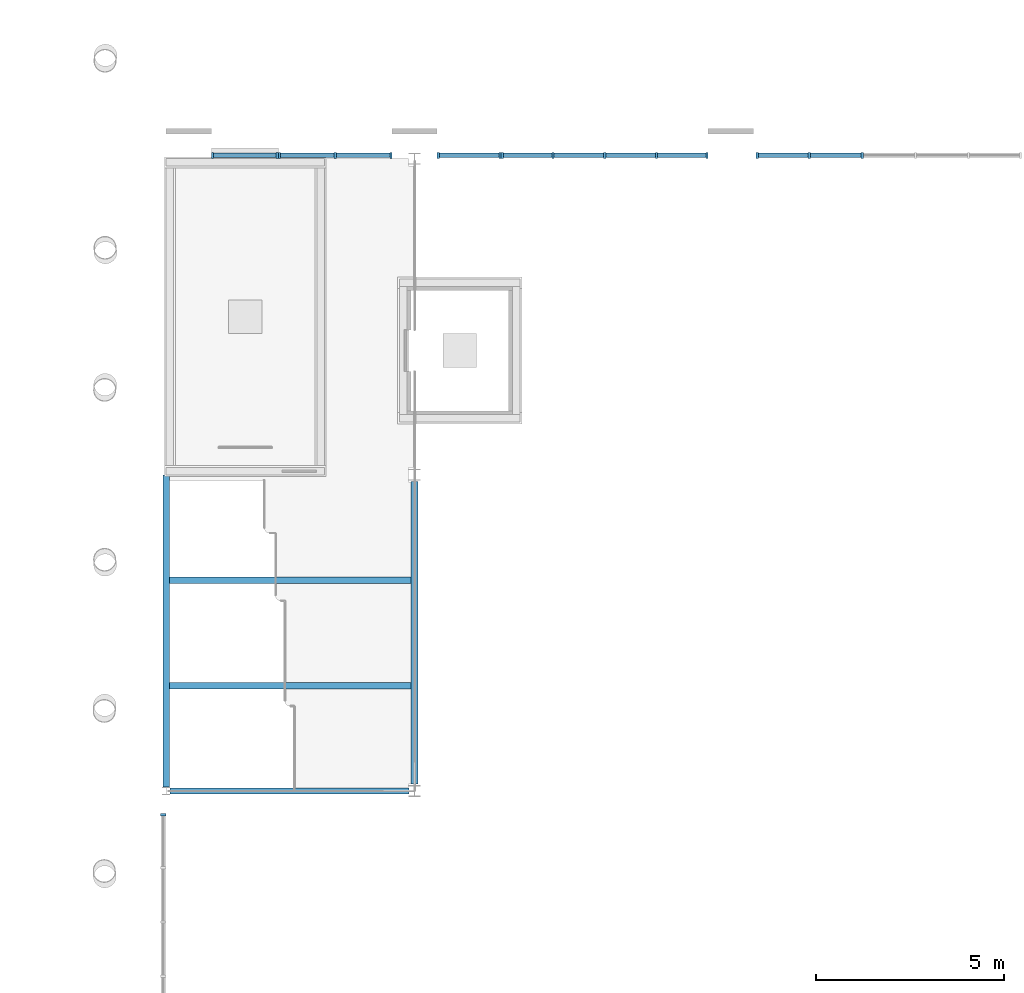
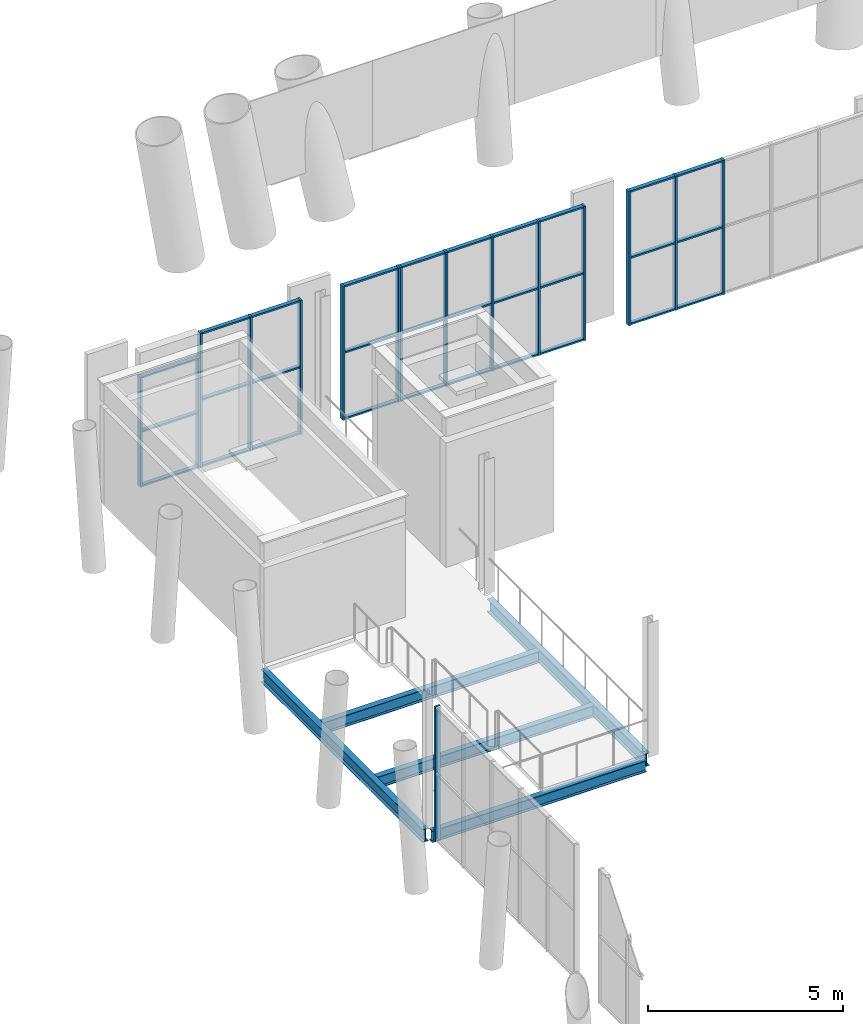
# One storey, part 29 of 76: 46 members, 5 beams, 6 elements without a shape of their own.
"""IFC4 building model written with IfcOpenShell, lengths in metres."""

from ifc_helpers import new_model, si_unit, direction, frame, origin, origin_2d, place, context, subcontext, project, spatial, rectangle, i_section, extrude, material, material_profile, profile_set, type_object, element, aggregate, save


model = new_model("IFC4")

# Units and contexts
model_context = context("Model", 3, precision=1e-05, world=origin(), true_north=direction((0.0, 1.0)))
body_context = subcontext(model_context, "Body", "Model", "MODEL_VIEW")
ifc_project = project(units=[si_unit("LENGTHUNIT", "METRE"), si_unit("AREAUNIT", "SQUARE_METRE"), si_unit("VOLUMEUNIT", "CUBIC_METRE"), si_unit("PLANEANGLEUNIT", "RADIAN"), si_unit("MASSUNIT", "GRAM", prefix="KILO")], contexts=[model_context])

# Site, building, storey
site_placement = place(None, origin())
site = spatial("IfcSite", under=ifc_project, at=site_placement, CompositionType="ELEMENT")
building_placement = place(site_placement, origin())
building = spatial("IfcBuilding", under=site, at=building_placement, Name="Sava Quay Ferry Terminal", CompositionType="ELEMENT")
storey_placement = place(building_placement, frame((0.0, 0.0, 10.800048828125)))
storey = spatial("IfcBuildingStorey", under=building, at=storey_placement, Name="L02", CompositionType="ELEMENT", Elevation=10.800048828125)

# Beams
ifc_material_1 = material(Name="Steel S355", Category="steel")
ifc_material_profile_1 = material_profile(ifc_material_1, i_section(OverallWidth=0.169921875, OverallDepth=0.360107421875, WebThickness=0.008056640625, FlangeThickness=0.0126953125, at=origin_2d()), Name="IPE 360")
ifc_profile_set_1 = profile_set([ifc_material_profile_1], Name="Steel S355")
beam_type_1 = type_object("IfcBeamType", Name="Beam IPE 360", PredefinedType="BEAM", material=ifc_profile_set_1)
beam_1_placement = place(storey_placement, frame((43.89990234375, 84.0, -0.31005859375), z_axis=(1.0, 0.0, 0.0), x_axis=(0.0, 1.0, 0.0)))
element("IfcBeam", 1, at=beam_1_placement, inside=storey, type_object=beam_type_1, Name="Beam L02", PredefinedType="BEAM", context=body_context, shape_type="SweptSolid", body=[
    extrude(i_section(OverallWidth=0.169921875, OverallDepth=0.360107421875, WebThickness=0.008056640625, FlangeThickness=0.0126953125, at=origin_2d()), origin(), (0.0, 0.0, 1.0), 6.35009765625),
])
for number, where, z_axis, x_axis, name in (
    (2, (43.889892578125, 86.800048828125, -0.31005859375), (1.0, 0.0, 0.0), (0.0, 1.0, 0.0), "Secondary beam L02"),
    (3, (43.889892578125, 89.60009765625, -0.31005859375), (1.0, 0.0, 0.0), (0.0, 1.0, 0.0), "Secondary beam L02"),
):
    element("IfcBeam", number, at=place(storey_placement, frame(where, z_axis=z_axis, x_axis=x_axis)), inside=storey, type_object=beam_type_1, Name=name, PredefinedType="BEAM", context=body_context, shape_type="SweptSolid", body=[
        extrude(i_section(OverallWidth=0.169921875, OverallDepth=0.360107421875, WebThickness=0.008056640625, FlangeThickness=0.0126953125, at=origin_2d()), origin(), (0.0, 0.0, 1.0), 6.420166015625),
    ])
ifc_material_2 = material(Name="Steel S355", Category="steel")
ifc_material_profile_2 = material_profile(ifc_material_2, i_section(OverallWidth=0.179931640625, OverallDepth=0.39990234375, WebThickness=0.008544921875, FlangeThickness=0.013427734375, at=origin_2d()), Name="IPE 400")
ifc_profile_set_2 = profile_set([ifc_material_profile_2], Name="Steel S355")
beam_type_2 = type_object("IfcBeamType", Name="Beam IPE 400", PredefinedType="BEAM", material=ifc_profile_set_2)
beam_2_placement = place(storey_placement, frame((43.800048828125, 84.10009765625, -0.330078125), z_axis=(0.0, 1.0, 0.0), x_axis=(-1.0, 0.0, 0.0)))
element("IfcBeam", 4, at=beam_2_placement, inside=storey, type_object=beam_type_2, Name="Girder L02", PredefinedType="BEAM", context=body_context, shape_type="SweptSolid", body=[
    extrude(i_section(OverallWidth=0.179931640625, OverallDepth=0.39990234375, WebThickness=0.008544921875, FlangeThickness=0.013427734375, at=origin_2d()), origin(), (0.0, 0.0, 1.0), 8.2998046875),
])
beam_3_placement = place(storey_placement, frame((50.39990234375, 84.179931640625, -0.330078125), z_axis=(0.0, 1.0, 0.0), x_axis=(-1.0, 0.0, 0.0)))
element("IfcBeam", 5, at=beam_3_placement, inside=storey, type_object=beam_type_2, Name="Girder L02", PredefinedType="BEAM", context=body_context, shape_type="SweptSolid", body=[
    extrude(i_section(OverallWidth=0.179931640625, OverallDepth=0.39990234375, WebThickness=0.008544921875, FlangeThickness=0.013427734375, at=origin_2d()), origin(), (0.0, 0.0, 1.0), 8.0400390625),
])

# Curtain wall, members
ifc_material_3 = material(Name="Aluminium and glass curtain wall, double low-e glazed", Category="aluminium")
curtain_wall_type_1 = type_object("IfcCurtainWallType", Name="Curtain wall CW-G gable", PredefinedType="NOTDEFINED", material=ifc_material_3)
curtain_wall_1_placement = place(storey_placement, origin())
curtain_wall_1 = element("IfcCurtainWall", 6, at=curtain_wall_1_placement, inside=storey, type_object=curtain_wall_type_1, Name="Curtain wall D-N L02 bay 1", PredefinedType="NOTDEFINED")
ifc_material_4 = material(Name="Aluminium EN AW-6063 T6", Category="aluminium")
ifc_material_profile_3 = material_profile(ifc_material_4, rectangle(XDim=0.14990234375, YDim=0.06005859375, at=origin_2d()), Name="Mullion 60x150 aluminium")
ifc_profile_set_3 = profile_set([ifc_material_profile_3], Name="Aluminium EN AW-6063 T6")
member_type_1 = type_object("IfcMemberType", Name="Mullion 60x150 aluminium", PredefinedType="MULLION", material=ifc_profile_set_3)
member_1_placement = place(storey_placement, frame((45.030029296875, 100.885009765625, 0.0), z_axis=(0.0, 0.0, 1.0), x_axis=(0.0, 1.0, 0.0)))
member_1 = element("IfcMember", 7, at=member_1_placement, type_object=member_type_1, Name="CW56 mullion 1", PredefinedType="MULLION", context=body_context, shape_type="SweptSolid", body=[
    extrude(rectangle(XDim=0.14990234375, YDim=0.06005859375, at=origin_2d()), origin(), (0.0, 0.0, 1.0), 3.449951171875),
])
member_2_placement = place(storey_placement, frame((46.75, 100.885009765625, 0.0), z_axis=(0.0, 0.0, 1.0), x_axis=(0.0, 1.0, 0.0)))
member_2 = element("IfcMember", 8, at=member_2_placement, type_object=member_type_1, Name="CW56 mullion 2", PredefinedType="MULLION", context=body_context, shape_type="SweptSolid", body=[
    extrude(rectangle(XDim=0.14990234375, YDim=0.06005859375, at=origin_2d()), origin(), (0.0, 0.0, 1.0), 3.449951171875),
])

curtain_wall_2_placement = place(storey_placement, origin())
curtain_wall_2 = element("IfcCurtainWall", 9, at=curtain_wall_2_placement, inside=storey, type_object=curtain_wall_type_1, Name="Curtain wall D-N L02 bay 11", PredefinedType="NOTDEFINED")
member_3_placement = place(storey_placement, frame((46.81005859375, 100.885009765625, 0.0), z_axis=(0.0, 0.0, 1.0), x_axis=(0.0, 1.0, 0.0)))
member_3 = element("IfcMember", 10, at=member_3_placement, type_object=member_type_1, Name="CW59 mullion 1", PredefinedType="MULLION", context=body_context, shape_type="SweptSolid", body=[
    extrude(rectangle(XDim=0.14990234375, YDim=0.06005859375, at=origin_2d()), origin(), (0.0, 0.0, 1.0), 4.199951171875),
])
member_4_placement = place(storey_placement, frame((48.2900390625, 100.885009765625, 0.0), z_axis=(0.0, 0.0, 1.0), x_axis=(0.0, 1.0, 0.0)))
member_4 = element("IfcMember", 11, at=member_4_placement, type_object=member_type_1, Name="CW59 mullion 2", PredefinedType="MULLION", context=body_context, shape_type="SweptSolid", body=[
    extrude(rectangle(XDim=0.14990234375, YDim=0.06005859375, at=origin_2d()), origin(), (0.0, 0.0, 1.0), 4.199951171875),
])
member_5_placement = place(storey_placement, frame((49.77001953125, 100.885009765625, 0.0), z_axis=(0.0, 0.0, 1.0), x_axis=(0.0, 1.0, 0.0)))
member_5 = element("IfcMember", 12, at=member_5_placement, type_object=member_type_1, Name="CW59 mullion 3", PredefinedType="MULLION", context=body_context, shape_type="SweptSolid", body=[
    extrude(rectangle(XDim=0.14990234375, YDim=0.06005859375, at=origin_2d()), origin(), (0.0, 0.0, 1.0), 4.199951171875),
])

curtain_wall_3_placement = place(storey_placement, origin())
curtain_wall_3 = element("IfcCurtainWall", 13, at=curtain_wall_3_placement, inside=storey, type_object=curtain_wall_type_1, Name="Curtain wall D-N L02 bay 12", PredefinedType="NOTDEFINED")
member_6_placement = place(storey_placement, frame((51.030029296875, 100.885009765625, 0.0), z_axis=(0.0, 0.0, 1.0), x_axis=(0.0, 1.0, 0.0)))
member_6 = element("IfcMember", 14, at=member_6_placement, type_object=member_type_1, Name="CW63 mullion 1", PredefinedType="MULLION", context=body_context, shape_type="SweptSolid", body=[
    extrude(rectangle(XDim=0.14990234375, YDim=0.06005859375, at=origin_2d()), origin(), (0.0, 0.0, 1.0), 4.199951171875),
])
member_7_placement = place(storey_placement, frame((52.669921875, 100.885009765625, 0.0), z_axis=(0.0, 0.0, 1.0), x_axis=(0.0, 1.0, 0.0)))
member_7 = element("IfcMember", 15, at=member_7_placement, type_object=member_type_1, Name="CW63 mullion 2", PredefinedType="MULLION", context=body_context, shape_type="SweptSolid", body=[
    extrude(rectangle(XDim=0.14990234375, YDim=0.06005859375, at=origin_2d()), origin(), (0.0, 0.0, 1.0), 4.199951171875),
])

curtain_wall_4_placement = place(storey_placement, origin())
curtain_wall_4 = element("IfcCurtainWall", 16, at=curtain_wall_4_placement, inside=storey, type_object=curtain_wall_type_1, Name="Curtain wall D-N L02 bay 21", PredefinedType="NOTDEFINED")
member_8_placement = place(storey_placement, frame((52.72998046875, 100.885009765625, 0.0), z_axis=(0.0, 0.0, 1.0), x_axis=(0.0, 1.0, 0.0)))
member_8 = element("IfcMember", 17, at=member_8_placement, type_object=member_type_1, Name="CW67 mullion 1", PredefinedType="MULLION", context=body_context, shape_type="SweptSolid", body=[
    extrude(rectangle(XDim=0.14990234375, YDim=0.06005859375, at=origin_2d()), origin(), (0.0, 0.0, 1.0), 4.199951171875),
])
member_9_placement = place(storey_placement, frame((54.074951171875, 100.885009765625, 0.0), z_axis=(0.0, 0.0, 1.0), x_axis=(0.0, 1.0, 0.0)))
member_9 = element("IfcMember", 18, at=member_9_placement, type_object=member_type_1, Name="CW67 mullion 2", PredefinedType="MULLION", context=body_context, shape_type="SweptSolid", body=[
    extrude(rectangle(XDim=0.14990234375, YDim=0.06005859375, at=origin_2d()), origin(), (0.0, 0.0, 1.0), 4.199951171875),
])
member_10_placement = place(storey_placement, frame((55.449951171875, 100.885009765625, 0.0), z_axis=(0.0, 0.0, 1.0), x_axis=(0.0, 1.0, 0.0)))
member_10 = element("IfcMember", 19, at=member_10_placement, type_object=member_type_1, Name="CW67 mullion 3", PredefinedType="MULLION", context=body_context, shape_type="SweptSolid", body=[
    extrude(rectangle(XDim=0.14990234375, YDim=0.06005859375, at=origin_2d()), origin(), (0.0, 0.0, 1.0), 4.199951171875),
])
member_11_placement = place(storey_placement, frame((56.824951171875, 100.885009765625, 0.0), z_axis=(0.0, 0.0, 1.0), x_axis=(0.0, 1.0, 0.0)))
member_11 = element("IfcMember", 20, at=member_11_placement, type_object=member_type_1, Name="CW67 mullion 4", PredefinedType="MULLION", context=body_context, shape_type="SweptSolid", body=[
    extrude(rectangle(XDim=0.14990234375, YDim=0.06005859375, at=origin_2d()), origin(), (0.0, 0.0, 1.0), 4.199951171875),
])
member_12_placement = place(storey_placement, frame((58.169921875, 100.885009765625, 0.0), z_axis=(0.0, 0.0, 1.0), x_axis=(0.0, 1.0, 0.0)))
member_12 = element("IfcMember", 21, at=member_12_placement, type_object=member_type_1, Name="CW67 mullion 5", PredefinedType="MULLION", context=body_context, shape_type="SweptSolid", body=[
    extrude(rectangle(XDim=0.14990234375, YDim=0.06005859375, at=origin_2d()), origin(), (0.0, 0.0, 1.0), 4.199951171875),
])

curtain_wall_5_placement = place(storey_placement, origin())
curtain_wall_5 = element("IfcCurtainWall", 22, at=curtain_wall_5_placement, inside=storey, type_object=curtain_wall_type_1, Name="Curtain wall D-N L02 bay 31", PredefinedType="NOTDEFINED")
member_13_placement = place(storey_placement, frame((59.5, 100.885009765625, 0.0), z_axis=(0.0, 0.0, 1.0), x_axis=(0.0, 1.0, 0.0)))
member_13 = element("IfcMember", 23, at=member_13_placement, type_object=member_type_1, Name="CW71 mullion 1", PredefinedType="MULLION", context=body_context, shape_type="SweptSolid", body=[
    extrude(rectangle(XDim=0.14990234375, YDim=0.06005859375, at=origin_2d()), origin(), (0.0, 0.0, 1.0), 4.199951171875),
])
member_14_placement = place(storey_placement, frame((60.882080078125, 100.885009765625, 0.0), z_axis=(0.0, 0.0, 1.0), x_axis=(0.0, 1.0, 0.0)))
member_14 = element("IfcMember", 24, at=member_14_placement, type_object=member_type_1, Name="CW71 mullion 2", PredefinedType="MULLION", context=body_context, shape_type="SweptSolid", body=[
    extrude(rectangle(XDim=0.14990234375, YDim=0.06005859375, at=origin_2d()), origin(), (0.0, 0.0, 1.0), 4.199951171875),
])
member_15_placement = place(storey_placement, frame((62.2939453125, 100.885009765625, 0.0), z_axis=(0.0, 0.0, 1.0), x_axis=(0.0, 1.0, 0.0)))
member_15 = element("IfcMember", 25, at=member_15_placement, type_object=member_type_1, Name="CW71 mullion 3", PredefinedType="MULLION", context=body_context, shape_type="SweptSolid", body=[
    extrude(rectangle(XDim=0.14990234375, YDim=0.06005859375, at=origin_2d()), origin(), (0.0, 0.0, 1.0), 4.199951171875),
])

# Curtain wall, member
ifc_material_5 = material(Name="Aluminium and glass curtain wall, double low-e glazed", Category="aluminium")
curtain_wall_type_2 = type_object("IfcCurtainWallType", Name="Curtain wall CW-F flank", PredefinedType="NOTDEFINED", material=ifc_material_5)
curtain_wall_6_placement = place(storey_placement, origin())
curtain_wall_6 = element("IfcCurtainWall", 26, at=curtain_wall_6_placement, inside=storey, type_object=curtain_wall_type_2, Name="Curtain wall D-W L02 bay 4", PredefinedType="NOTDEFINED")
member_16_placement = place(storey_placement, frame((43.72509765625, 83.3701171875, 0.0), z_axis=(0.0, 0.0, 1.0), x_axis=(-1.0, 0.0, 0.0)))
member_16 = element("IfcMember", 27, at=member_16_placement, type_object=member_type_1, Name="CW108 mullion 6", PredefinedType="MULLION", context=body_context, shape_type="SweptSolid", body=[
    extrude(rectangle(XDim=0.14990234375, YDim=0.06005859375, at=origin_2d()), origin(), (0.0, 0.0, 1.0), 4.199951171875),
])
aggregate(curtain_wall_6, [member_16])

# Member
ifc_material_6 = material(Name="Aluminium EN AW-6063 T6", Category="aluminium")
ifc_material_profile_4 = material_profile(ifc_material_6, rectangle(XDim=0.1201171875, YDim=0.050048828125, at=origin_2d()), Name="Transom 50x120 aluminium")
ifc_profile_set_4 = profile_set([ifc_material_profile_4], Name="Aluminium EN AW-6063 T6")
member_type_2 = type_object("IfcMemberType", Name="Transom 50x120 aluminium", PredefinedType="USERDEFINED", material=ifc_profile_set_4)
member_17_placement = place(storey_placement, frame((45.06005859375, 100.885009765625, 0.02490234375), z_axis=(1.0, 0.0, 0.0), x_axis=(0.0, 1.0, 0.0)))
member_17 = element("IfcMember", 28, at=member_17_placement, type_object=member_type_2, Name="CW56 transom 1.1", ObjectType="TRANSOM", PredefinedType="USERDEFINED", context=body_context, shape_type="SweptSolid", body=[
    extrude(rectangle(XDim=0.1201171875, YDim=0.050048828125, at=origin_2d()), origin(), (0.0, 0.0, 1.0), 1.659912109375),
])

member_18_placement = place(storey_placement, frame((45.06005859375, 100.885009765625, 1.724853515625), z_axis=(1.0, 0.0, 0.0), x_axis=(0.0, 1.0, 0.0)))
member_18 = element("IfcMember", 29, at=member_18_placement, type_object=member_type_2, Name="CW56 transom 1.2", ObjectType="TRANSOM", PredefinedType="USERDEFINED", context=body_context, shape_type="SweptSolid", body=[
    extrude(rectangle(XDim=0.1201171875, YDim=0.050048828125, at=origin_2d()), origin(), (0.0, 0.0, 1.0), 1.659912109375),
])

member_19_placement = place(storey_placement, frame((45.06005859375, 100.885009765625, 3.425048828125), z_axis=(1.0, 0.0, 0.0), x_axis=(0.0, 1.0, 0.0)))
member_19 = element("IfcMember", 30, at=member_19_placement, type_object=member_type_2, Name="CW56 transom 1.3", ObjectType="TRANSOM", PredefinedType="USERDEFINED", context=body_context, shape_type="SweptSolid", body=[
    extrude(rectangle(XDim=0.1201171875, YDim=0.050048828125, at=origin_2d()), origin(), (0.0, 0.0, 1.0), 1.659912109375),
])

aggregate(curtain_wall_1, [member_1, member_2, member_17, member_18, member_19])

member_20_placement = place(storey_placement, frame((46.840087890625, 100.885009765625, 0.02490234375), z_axis=(1.0, 0.0, 0.0), x_axis=(0.0, 1.0, 0.0)))
member_20 = element("IfcMember", 31, at=member_20_placement, type_object=member_type_2, Name="CW59 transom 1.1", ObjectType="TRANSOM", PredefinedType="USERDEFINED", context=body_context, shape_type="SweptSolid", body=[
    extrude(rectangle(XDim=0.1201171875, YDim=0.050048828125, at=origin_2d()), origin(), (0.0, 0.0, 1.0), 1.419921875),
])

member_21_placement = place(storey_placement, frame((46.840087890625, 100.885009765625, 2.099853515625), z_axis=(1.0, 0.0, 0.0), x_axis=(0.0, 1.0, 0.0)))
member_21 = element("IfcMember", 32, at=member_21_placement, type_object=member_type_2, Name="CW59 transom 1.2", ObjectType="TRANSOM", PredefinedType="USERDEFINED", context=body_context, shape_type="SweptSolid", body=[
    extrude(rectangle(XDim=0.1201171875, YDim=0.050048828125, at=origin_2d()), origin(), (0.0, 0.0, 1.0), 1.419921875),
])

member_22_placement = place(storey_placement, frame((46.840087890625, 100.885009765625, 4.175048828125), z_axis=(1.0, 0.0, 0.0), x_axis=(0.0, 1.0, 0.0)))
member_22 = element("IfcMember", 33, at=member_22_placement, type_object=member_type_2, Name="CW59 transom 1.3", ObjectType="TRANSOM", PredefinedType="USERDEFINED", context=body_context, shape_type="SweptSolid", body=[
    extrude(rectangle(XDim=0.1201171875, YDim=0.050048828125, at=origin_2d()), origin(), (0.0, 0.0, 1.0), 1.419921875),
])

member_23_placement = place(storey_placement, frame((48.320068359375, 100.885009765625, 0.02490234375), z_axis=(1.0, 0.0, 0.0), x_axis=(0.0, 1.0, 0.0)))
member_23 = element("IfcMember", 34, at=member_23_placement, type_object=member_type_2, Name="CW59 transom 2.1", ObjectType="TRANSOM", PredefinedType="USERDEFINED", context=body_context, shape_type="SweptSolid", body=[
    extrude(rectangle(XDim=0.1201171875, YDim=0.050048828125, at=origin_2d()), origin(), (0.0, 0.0, 1.0), 1.419921875),
])

member_24_placement = place(storey_placement, frame((48.320068359375, 100.885009765625, 2.099853515625), z_axis=(1.0, 0.0, 0.0), x_axis=(0.0, 1.0, 0.0)))
member_24 = element("IfcMember", 35, at=member_24_placement, type_object=member_type_2, Name="CW59 transom 2.2", ObjectType="TRANSOM", PredefinedType="USERDEFINED", context=body_context, shape_type="SweptSolid", body=[
    extrude(rectangle(XDim=0.1201171875, YDim=0.050048828125, at=origin_2d()), origin(), (0.0, 0.0, 1.0), 1.419921875),
])

member_25_placement = place(storey_placement, frame((48.320068359375, 100.885009765625, 4.175048828125), z_axis=(1.0, 0.0, 0.0), x_axis=(0.0, 1.0, 0.0)))
member_25 = element("IfcMember", 36, at=member_25_placement, type_object=member_type_2, Name="CW59 transom 2.3", ObjectType="TRANSOM", PredefinedType="USERDEFINED", context=body_context, shape_type="SweptSolid", body=[
    extrude(rectangle(XDim=0.1201171875, YDim=0.050048828125, at=origin_2d()), origin(), (0.0, 0.0, 1.0), 1.419921875),
])

aggregate(curtain_wall_2, [member_3, member_4, member_5, member_20, member_21, member_22, member_23, member_24, member_25])

member_26_placement = place(storey_placement, frame((51.06005859375, 100.885009765625, 0.02490234375), z_axis=(1.0, 0.0, 0.0), x_axis=(0.0, 1.0, 0.0)))
member_26 = element("IfcMember", 37, at=member_26_placement, type_object=member_type_2, Name="CW63 transom 1.1", ObjectType="TRANSOM", PredefinedType="USERDEFINED", context=body_context, shape_type="SweptSolid", body=[
    extrude(rectangle(XDim=0.1201171875, YDim=0.050048828125, at=origin_2d()), origin(), (0.0, 0.0, 1.0), 1.579833984375),
])

member_27_placement = place(storey_placement, frame((51.06005859375, 100.885009765625, 2.099853515625), z_axis=(1.0, 0.0, 0.0), x_axis=(0.0, 1.0, 0.0)))
member_27 = element("IfcMember", 38, at=member_27_placement, type_object=member_type_2, Name="CW63 transom 1.2", ObjectType="TRANSOM", PredefinedType="USERDEFINED", context=body_context, shape_type="SweptSolid", body=[
    extrude(rectangle(XDim=0.1201171875, YDim=0.050048828125, at=origin_2d()), origin(), (0.0, 0.0, 1.0), 1.579833984375),
])

member_28_placement = place(storey_placement, frame((51.06005859375, 100.885009765625, 4.175048828125), z_axis=(1.0, 0.0, 0.0), x_axis=(0.0, 1.0, 0.0)))
member_28 = element("IfcMember", 39, at=member_28_placement, type_object=member_type_2, Name="CW63 transom 1.3", ObjectType="TRANSOM", PredefinedType="USERDEFINED", context=body_context, shape_type="SweptSolid", body=[
    extrude(rectangle(XDim=0.1201171875, YDim=0.050048828125, at=origin_2d()), origin(), (0.0, 0.0, 1.0), 1.579833984375),
])

aggregate(curtain_wall_3, [member_6, member_7, member_26, member_27, member_28])

member_29_placement = place(storey_placement, frame((52.760009765625, 100.885009765625, 0.02490234375), z_axis=(1.0, 0.0, 0.0), x_axis=(0.0, 1.0, 0.0)))
member_29 = element("IfcMember", 40, at=member_29_placement, type_object=member_type_2, Name="CW67 transom 1.1", ObjectType="TRANSOM", PredefinedType="USERDEFINED", context=body_context, shape_type="SweptSolid", body=[
    extrude(rectangle(XDim=0.1201171875, YDim=0.050048828125, at=origin_2d()), origin(), (0.0, 0.0, 1.0), 1.284912109375),
])

member_30_placement = place(storey_placement, frame((52.760009765625, 100.885009765625, 2.099853515625), z_axis=(1.0, 0.0, 0.0), x_axis=(0.0, 1.0, 0.0)))
member_30 = element("IfcMember", 41, at=member_30_placement, type_object=member_type_2, Name="CW67 transom 1.2", ObjectType="TRANSOM", PredefinedType="USERDEFINED", context=body_context, shape_type="SweptSolid", body=[
    extrude(rectangle(XDim=0.1201171875, YDim=0.050048828125, at=origin_2d()), origin(), (0.0, 0.0, 1.0), 1.284912109375),
])

member_31_placement = place(storey_placement, frame((52.760009765625, 100.885009765625, 4.175048828125), z_axis=(1.0, 0.0, 0.0), x_axis=(0.0, 1.0, 0.0)))
member_31 = element("IfcMember", 42, at=member_31_placement, type_object=member_type_2, Name="CW67 transom 1.3", ObjectType="TRANSOM", PredefinedType="USERDEFINED", context=body_context, shape_type="SweptSolid", body=[
    extrude(rectangle(XDim=0.1201171875, YDim=0.050048828125, at=origin_2d()), origin(), (0.0, 0.0, 1.0), 1.284912109375),
])

member_32_placement = place(storey_placement, frame((54.10498046875, 100.885009765625, 0.02490234375), z_axis=(1.0, 0.0, 0.0), x_axis=(0.0, 1.0, 0.0)))
member_32 = element("IfcMember", 43, at=member_32_placement, type_object=member_type_2, Name="CW67 transom 2.1", ObjectType="TRANSOM", PredefinedType="USERDEFINED", context=body_context, shape_type="SweptSolid", body=[
    extrude(rectangle(XDim=0.1201171875, YDim=0.050048828125, at=origin_2d()), origin(), (0.0, 0.0, 1.0), 1.31494140625),
])

member_33_placement = place(storey_placement, frame((54.10498046875, 100.885009765625, 2.099853515625), z_axis=(1.0, 0.0, 0.0), x_axis=(0.0, 1.0, 0.0)))
member_33 = element("IfcMember", 44, at=member_33_placement, type_object=member_type_2, Name="CW67 transom 2.2", ObjectType="TRANSOM", PredefinedType="USERDEFINED", context=body_context, shape_type="SweptSolid", body=[
    extrude(rectangle(XDim=0.1201171875, YDim=0.050048828125, at=origin_2d()), origin(), (0.0, 0.0, 1.0), 1.31494140625),
])

member_34_placement = place(storey_placement, frame((54.10498046875, 100.885009765625, 4.175048828125), z_axis=(1.0, 0.0, 0.0), x_axis=(0.0, 1.0, 0.0)))
member_34 = element("IfcMember", 45, at=member_34_placement, type_object=member_type_2, Name="CW67 transom 2.3", ObjectType="TRANSOM", PredefinedType="USERDEFINED", context=body_context, shape_type="SweptSolid", body=[
    extrude(rectangle(XDim=0.1201171875, YDim=0.050048828125, at=origin_2d()), origin(), (0.0, 0.0, 1.0), 1.31494140625),
])

member_35_placement = place(storey_placement, frame((55.47998046875, 100.885009765625, 0.02490234375), z_axis=(1.0, 0.0, 0.0), x_axis=(0.0, 1.0, 0.0)))
member_35 = element("IfcMember", 46, at=member_35_placement, type_object=member_type_2, Name="CW67 transom 3.1", ObjectType="TRANSOM", PredefinedType="USERDEFINED", context=body_context, shape_type="SweptSolid", body=[
    extrude(rectangle(XDim=0.1201171875, YDim=0.050048828125, at=origin_2d()), origin(), (0.0, 0.0, 1.0), 1.31494140625),
])

member_36_placement = place(storey_placement, frame((55.47998046875, 100.885009765625, 2.099853515625), z_axis=(1.0, 0.0, 0.0), x_axis=(0.0, 1.0, 0.0)))
member_36 = element("IfcMember", 47, at=member_36_placement, type_object=member_type_2, Name="CW67 transom 3.2", ObjectType="TRANSOM", PredefinedType="USERDEFINED", context=body_context, shape_type="SweptSolid", body=[
    extrude(rectangle(XDim=0.1201171875, YDim=0.050048828125, at=origin_2d()), origin(), (0.0, 0.0, 1.0), 1.31494140625),
])

member_37_placement = place(storey_placement, frame((55.47998046875, 100.885009765625, 4.175048828125), z_axis=(1.0, 0.0, 0.0), x_axis=(0.0, 1.0, 0.0)))
member_37 = element("IfcMember", 48, at=member_37_placement, type_object=member_type_2, Name="CW67 transom 3.3", ObjectType="TRANSOM", PredefinedType="USERDEFINED", context=body_context, shape_type="SweptSolid", body=[
    extrude(rectangle(XDim=0.1201171875, YDim=0.050048828125, at=origin_2d()), origin(), (0.0, 0.0, 1.0), 1.31494140625),
])

member_38_placement = place(storey_placement, frame((56.85498046875, 100.885009765625, 0.02490234375), z_axis=(1.0, 0.0, 0.0), x_axis=(0.0, 1.0, 0.0)))
member_38 = element("IfcMember", 49, at=member_38_placement, type_object=member_type_2, Name="CW67 transom 4.1", ObjectType="TRANSOM", PredefinedType="USERDEFINED", context=body_context, shape_type="SweptSolid", body=[
    extrude(rectangle(XDim=0.1201171875, YDim=0.050048828125, at=origin_2d()), origin(), (0.0, 0.0, 1.0), 1.284912109375),
])

member_39_placement = place(storey_placement, frame((56.85498046875, 100.885009765625, 2.099853515625), z_axis=(1.0, 0.0, 0.0), x_axis=(0.0, 1.0, 0.0)))
member_39 = element("IfcMember", 50, at=member_39_placement, type_object=member_type_2, Name="CW67 transom 4.2", ObjectType="TRANSOM", PredefinedType="USERDEFINED", context=body_context, shape_type="SweptSolid", body=[
    extrude(rectangle(XDim=0.1201171875, YDim=0.050048828125, at=origin_2d()), origin(), (0.0, 0.0, 1.0), 1.284912109375),
])

member_40_placement = place(storey_placement, frame((56.85498046875, 100.885009765625, 4.175048828125), z_axis=(1.0, 0.0, 0.0), x_axis=(0.0, 1.0, 0.0)))
member_40 = element("IfcMember", 51, at=member_40_placement, type_object=member_type_2, Name="CW67 transom 4.3", ObjectType="TRANSOM", PredefinedType="USERDEFINED", context=body_context, shape_type="SweptSolid", body=[
    extrude(rectangle(XDim=0.1201171875, YDim=0.050048828125, at=origin_2d()), origin(), (0.0, 0.0, 1.0), 1.284912109375),
])

aggregate(curtain_wall_4, [member_8, member_9, member_10, member_11, member_12, member_29, member_30, member_31, member_32, member_33, member_34, member_35, member_36, member_37, member_38, member_39, member_40])

member_41_placement = place(storey_placement, frame((59.530029296875, 100.885009765625, 0.02490234375), z_axis=(1.0, 0.0, 0.0), x_axis=(0.0, 1.0, 0.0)))
member_41 = element("IfcMember", 52, at=member_41_placement, type_object=member_type_2, Name="CW71 transom 1.1", ObjectType="TRANSOM", PredefinedType="USERDEFINED", context=body_context, shape_type="SweptSolid", body=[
    extrude(rectangle(XDim=0.1201171875, YDim=0.050048828125, at=origin_2d()), origin(), (0.0, 0.0, 1.0), 1.322021484375),
])

member_42_placement = place(storey_placement, frame((59.530029296875, 100.885009765625, 2.099853515625), z_axis=(1.0, 0.0, 0.0), x_axis=(0.0, 1.0, 0.0)))
member_42 = element("IfcMember", 53, at=member_42_placement, type_object=member_type_2, Name="CW71 transom 1.2", ObjectType="TRANSOM", PredefinedType="USERDEFINED", context=body_context, shape_type="SweptSolid", body=[
    extrude(rectangle(XDim=0.1201171875, YDim=0.050048828125, at=origin_2d()), origin(), (0.0, 0.0, 1.0), 1.322021484375),
])

member_43_placement = place(storey_placement, frame((59.530029296875, 100.885009765625, 4.175048828125), z_axis=(1.0, 0.0, 0.0), x_axis=(0.0, 1.0, 0.0)))
member_43 = element("IfcMember", 54, at=member_43_placement, type_object=member_type_2, Name="CW71 transom 1.3", ObjectType="TRANSOM", PredefinedType="USERDEFINED", context=body_context, shape_type="SweptSolid", body=[
    extrude(rectangle(XDim=0.1201171875, YDim=0.050048828125, at=origin_2d()), origin(), (0.0, 0.0, 1.0), 1.322021484375),
])

member_44_placement = place(storey_placement, frame((60.912109375, 100.885009765625, 0.02490234375), z_axis=(1.0, 0.0, 0.0), x_axis=(0.0, 1.0, 0.0)))
member_44 = element("IfcMember", 55, at=member_44_placement, type_object=member_type_2, Name="CW71 transom 2.1", ObjectType="TRANSOM", PredefinedType="USERDEFINED", context=body_context, shape_type="SweptSolid", body=[
    extrude(rectangle(XDim=0.1201171875, YDim=0.050048828125, at=origin_2d()), origin(), (0.0, 0.0, 1.0), 1.351806640625),
])

member_45_placement = place(storey_placement, frame((60.912109375, 100.885009765625, 2.099853515625), z_axis=(1.0, 0.0, 0.0), x_axis=(0.0, 1.0, 0.0)))
member_45 = element("IfcMember", 56, at=member_45_placement, type_object=member_type_2, Name="CW71 transom 2.2", ObjectType="TRANSOM", PredefinedType="USERDEFINED", context=body_context, shape_type="SweptSolid", body=[
    extrude(rectangle(XDim=0.1201171875, YDim=0.050048828125, at=origin_2d()), origin(), (0.0, 0.0, 1.0), 1.351806640625),
])

member_46_placement = place(storey_placement, frame((60.912109375, 100.885009765625, 4.175048828125), z_axis=(1.0, 0.0, 0.0), x_axis=(0.0, 1.0, 0.0)))
member_46 = element("IfcMember", 57, at=member_46_placement, type_object=member_type_2, Name="CW71 transom 2.3", ObjectType="TRANSOM", PredefinedType="USERDEFINED", context=body_context, shape_type="SweptSolid", body=[
    extrude(rectangle(XDim=0.1201171875, YDim=0.050048828125, at=origin_2d()), origin(), (0.0, 0.0, 1.0), 1.351806640625),
])

aggregate(curtain_wall_5, [member_13, member_14, member_15, member_41, member_42, member_43, member_44, member_45, member_46])

save(model, "model.ifc")
